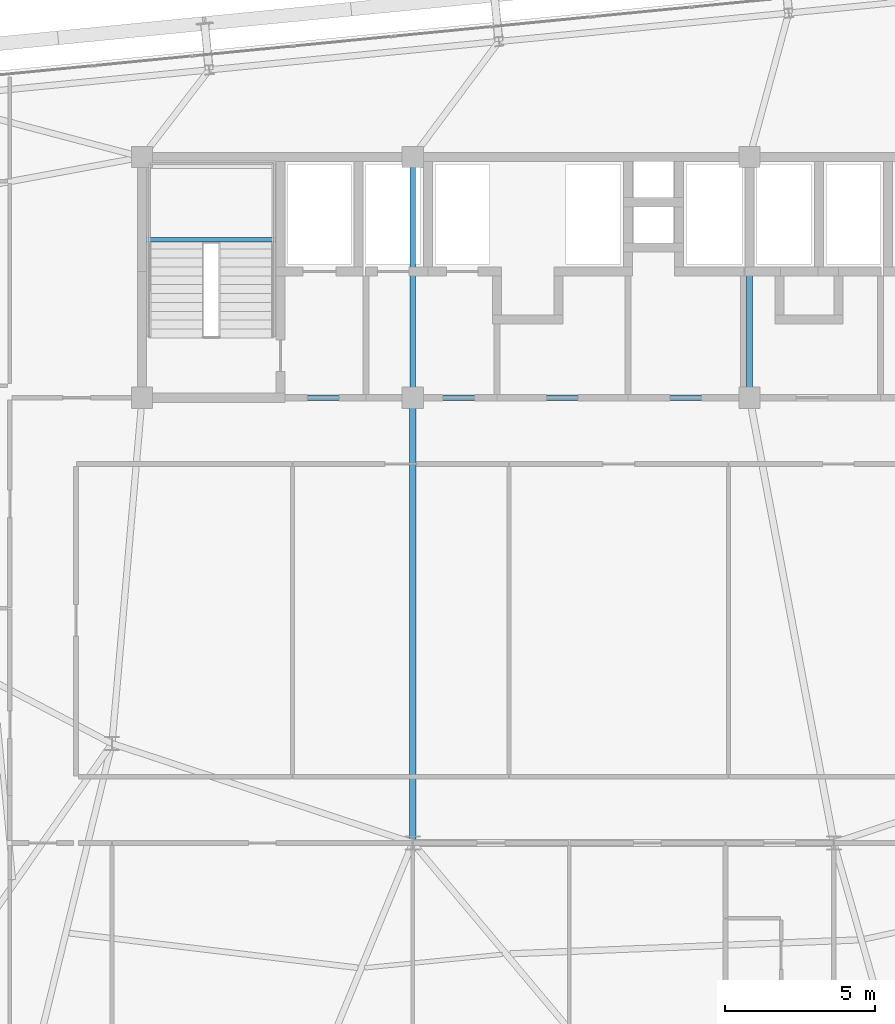
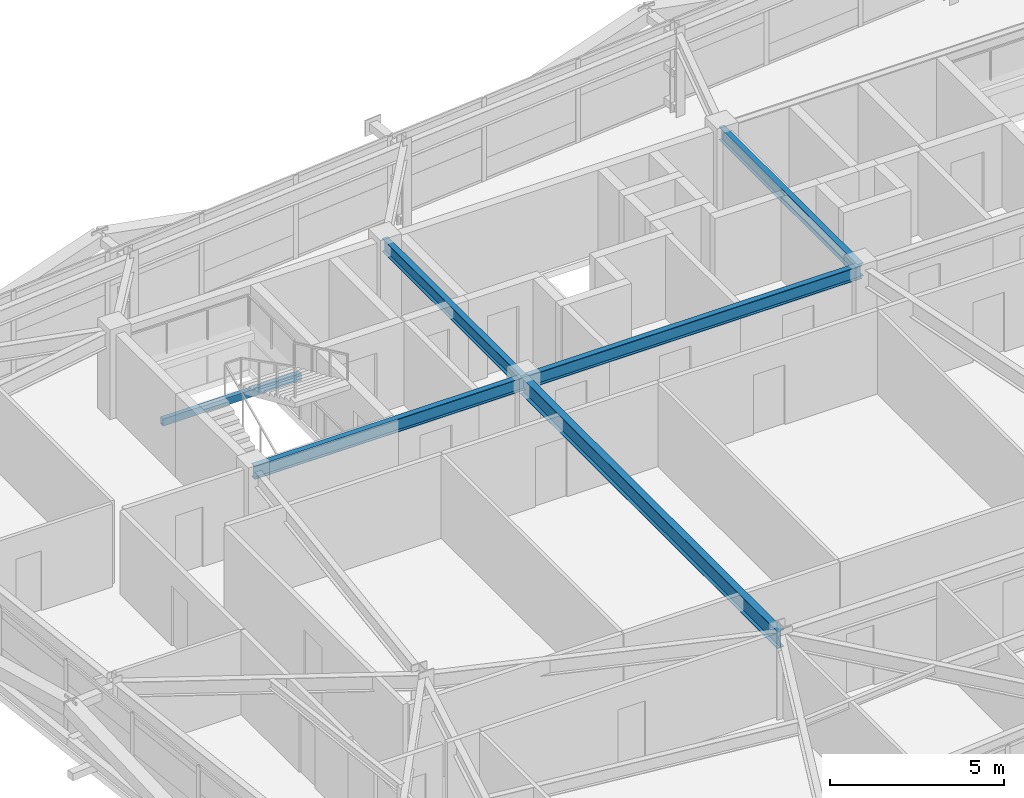
# One storey, part 16 of 52: 6 beams.
"""IFC4 building model written with IfcOpenShell, lengths in metres."""

from ifc_helpers import new_model, si_unit, direction, frame, origin, origin_2d, place, context, subcontext, project, spatial, hollow_rectangle, i_section, extrude, source, transform, mapped, material, material_profile, profile_set, type_object, element, save


model = new_model("IFC4")

# Units and contexts
model_context = context("Model", 3, precision=1e-05, world=origin(), true_north=direction((0.0, 1.0)))
body_context = subcontext(model_context, "Body", "Model", "MODEL_VIEW")
ifc_project = project(units=[si_unit("LENGTHUNIT", "METRE"), si_unit("AREAUNIT", "SQUARE_METRE"), si_unit("VOLUMEUNIT", "CUBIC_METRE"), si_unit("PLANEANGLEUNIT", "RADIAN"), si_unit("MASSUNIT", "GRAM", prefix="KILO")], contexts=[model_context])

# Site, building, storey
site_placement = place(None, origin())
site = spatial("IfcSite", under=ifc_project, at=site_placement, CompositionType="ELEMENT")
building_placement = place(site_placement, origin())
building = spatial("IfcBuilding", under=site, at=building_placement, Name="Taldren Reach Tower", CompositionType="ELEMENT")
storey_placement = place(building_placement, frame((0.0, 0.0, 93.449951171875)))
storey = spatial("IfcBuildingStorey", under=building, at=storey_placement, Name="L28", CompositionType="ELEMENT", Elevation=93.449951171875)

# Beams
ifc_material_1 = material(Name="Steel Gr 350 (350PLUS)", Category="steel")
ifc_material_profile_1 = material_profile(ifc_material_1, i_section(OverallWidth=0.19091796875, OverallDepth=0.4599609375, WebThickness=0.010009765625, FlangeThickness=0.01611328125, at=origin_2d()), Name="460UB82.1")
ifc_profile_set_1 = profile_set([ifc_material_profile_1], Name="Steel Gr 350 (350PLUS)")
beam_type_1 = type_object("IfcBeamType", Name="BM-UB460A", PredefinedType="BEAM", material=ifc_profile_set_1)
shared_shape_1 = source(origin(), body_context, "Body", "SweptSolid", [
    extrude(i_section(OverallWidth=0.19091796875, OverallDepth=0.4599609375, WebThickness=0.010009765625, FlangeThickness=0.01611328125, at=origin_2d()), origin(), (0.0, 0.0, 1.0), 9.0),
])
beam_1_placement = place(storey_placement, frame((19.0, 24.0, 2.699951171875), z_axis=(1.0, 0.0, 0.0), x_axis=(0.0, 1.0, 0.0)))
element("IfcBeam", 1, at=beam_1_placement, inside=storey, type_object=beam_type_1, Name="Core-spine girder L28-SP01", PredefinedType="BEAM", context=body_context, shape_type="MappedRepresentation", body=[
    mapped(shared_shape_1, transform((0.0, 0.0, 0.0), scale=1.0)),
])
shared_shape_2 = source(origin(), body_context, "Body", "SweptSolid", [
    extrude(i_section(OverallWidth=0.19091796875, OverallDepth=0.4599609375, WebThickness=0.010009765625, FlangeThickness=0.01611328125, at=origin_2d()), origin(), (0.0, 0.0, 1.0), 11.199951171875),
])
beam_2_placement = place(storey_placement, frame((28.0, 24.0, 2.699951171875), z_axis=(1.0, 0.0, 0.0), x_axis=(0.0, 1.0, 0.0)))
element("IfcBeam", 2, at=beam_2_placement, inside=storey, type_object=beam_type_1, Name="Core-spine girder L28-SP02", PredefinedType="BEAM", context=body_context, shape_type="MappedRepresentation", body=[
    mapped(shared_shape_2, transform((0.0, 0.0, 0.0), scale=1.0)),
])
shared_shape_3 = source(origin(), body_context, "Body", "SweptSolid", [
    extrude(i_section(OverallWidth=0.19091796875, OverallDepth=0.4599609375, WebThickness=0.010009765625, FlangeThickness=0.01611328125, at=origin_2d()), origin(), (0.0, 0.0, 1.0), 8.0),
])
for number, where, z_axis, x_axis, name in (
    (3, (28.0, 24.0, 2.699951171875), (0.0, 1.0, 0.0), (-1.0, 0.0, 0.0), "Core-spine girder L28-SP07"),
    (4, (39.199951171875, 24.0, 2.699951171875), (0.0, 1.0, 0.0), (-1.0, 0.0, 0.0), "Core-spine girder L28-SP08"),
):
    element("IfcBeam", number, at=place(storey_placement, frame(where, z_axis=z_axis, x_axis=x_axis)), inside=storey, type_object=beam_type_1, Name=name, PredefinedType="BEAM", context=body_context, shape_type="MappedRepresentation", body=[
        mapped(shared_shape_3, transform((0.0, 0.0, 0.0), scale=1.0)),
    ])
ifc_material_profile_2 = material_profile(ifc_material_1, i_section(OverallWidth=0.22802734375, OverallDepth=0.60205078125, WebThickness=0.010498046875, FlangeThickness=0.014892578125, at=origin_2d()), Name="610UB101")
ifc_profile_set_2 = profile_set([ifc_material_profile_2], Name="Steel Gr 350 (350PLUS)")
beam_type_2 = type_object("IfcBeamType", Name="BM-UB610B", PredefinedType="BEAM", material=ifc_profile_set_2)
shared_shape_4 = source(origin(), body_context, "Body", "SweptSolid", [
    extrude(i_section(OverallWidth=0.22802734375, OverallDepth=0.60205078125, WebThickness=0.010498046875, FlangeThickness=0.014892578125, at=origin_2d()), origin(), (0.0, 0.0, 1.0), 14.800048828125),
])
beam_3_placement = place(storey_placement, frame((28.0, 24.0, 2.629150390625), z_axis=(0.0, -1.0, 0.0), x_axis=(1.0, 0.0, 0.0)))
element("IfcBeam", 5, at=beam_3_placement, inside=storey, type_object=beam_type_2, Name="Core-spine girder L28-SP14", PredefinedType="BEAM", context=body_context, shape_type="MappedRepresentation", body=[
    mapped(shared_shape_4, transform((0.0, 0.0, 0.0), scale=1.0)),
])
ifc_material_2 = material(Name="Steel Gr 350 (C350L0)", Category="steel")
ifc_material_profile_3 = material_profile(ifc_material_2, hollow_rectangle(XDim=0.14990234375, YDim=0.25, WallThickness=0.009033203125, at=origin_2d()), Name="250x150x9.0RHS")
ifc_profile_set_3 = profile_set([ifc_material_profile_3], Name="Steel Gr 350 (C350L0)")
beam_type_3 = type_object("IfcBeamType", Name="LN-RHS250", PredefinedType="LINTEL", material=ifc_profile_set_3)
shared_shape_5 = source(origin(), body_context, "Body", "SweptSolid", [
    extrude(hollow_rectangle(XDim=0.14990234375, YDim=0.25, WallThickness=0.009033203125, at=origin_2d()), origin(), (0.0, 0.0, 1.0), 4.60009765625),
])
beam_4_placement = place(storey_placement, frame((19.0, 29.2548828125, 1.27001953125), z_axis=(1.0, 0.0, 0.0), x_axis=(0.0, 1.0, 0.0)))
element("IfcBeam", 6, at=beam_4_placement, inside=storey, type_object=beam_type_3, Name="Stair half-landing support beam ST1-L28-1", PredefinedType="LINTEL", context=body_context, shape_type="MappedRepresentation", body=[
    mapped(shared_shape_5, transform((0.0, 0.0, 0.0), scale=1.0)),
])

save(model, "model.ifc")
